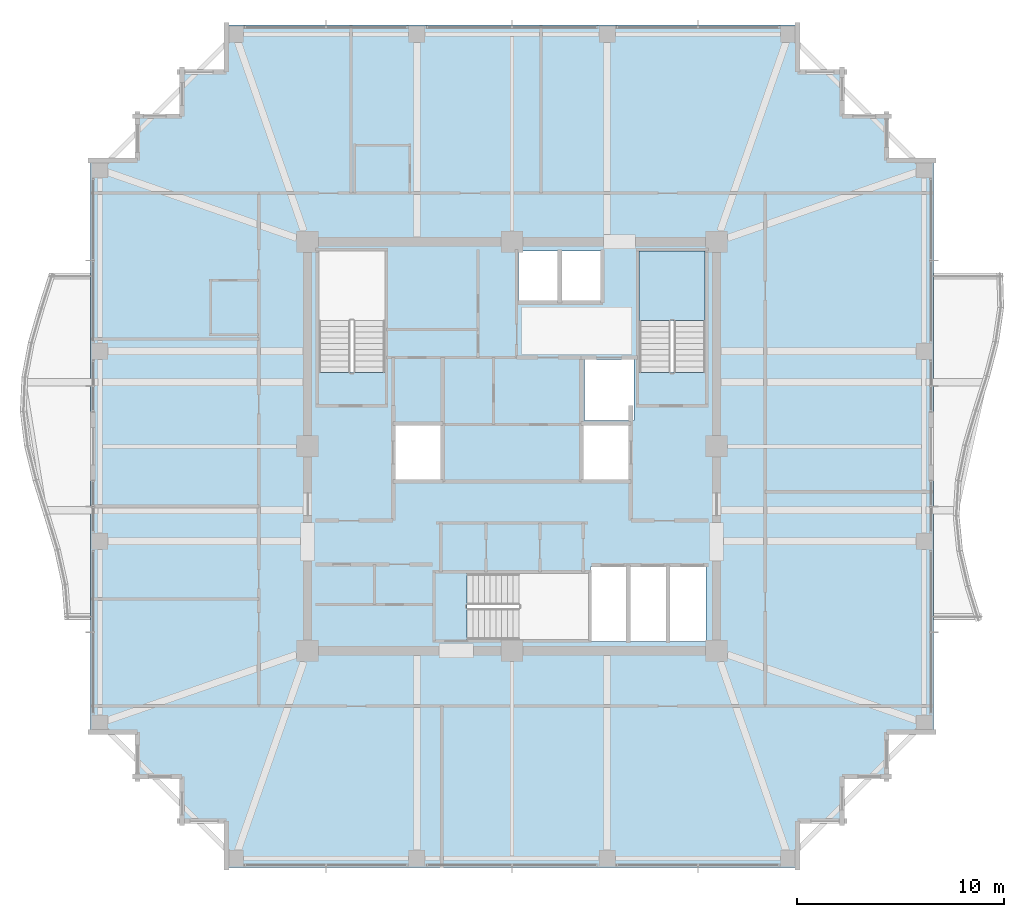
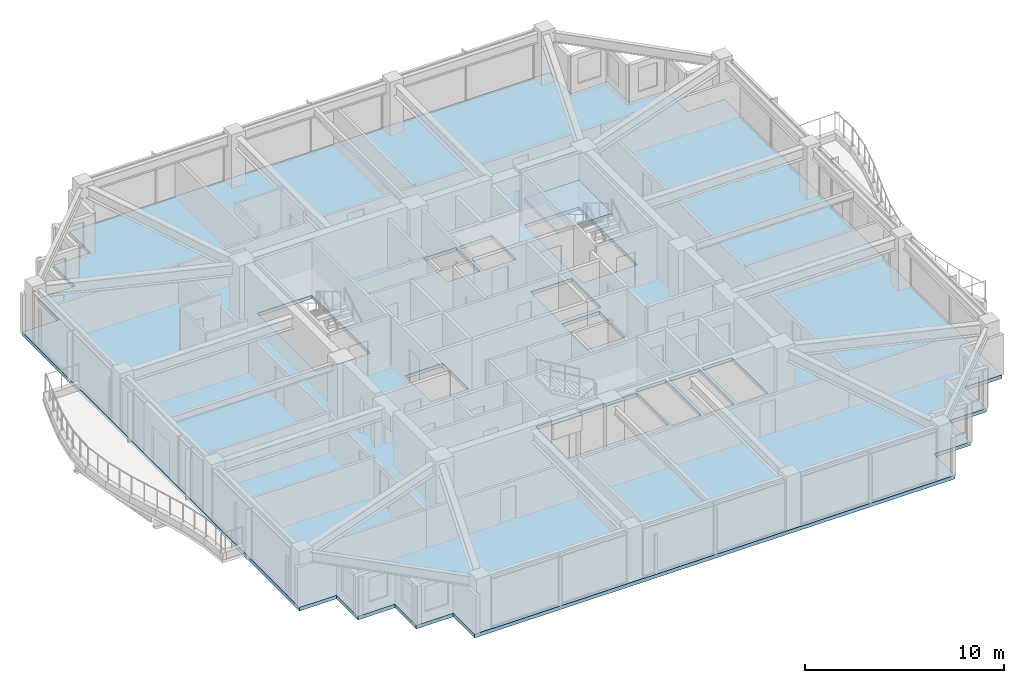
# One storey, part 24 of 34: 2 slabs, 1 element without a shape of its own.
"""IFC4 building model written with IfcOpenShell, lengths in metres."""

from ifc_helpers import new_model, si_unit, direction, frame, origin, place, context, subcontext, project, spatial, polyline, outline, extrude, material, layer, layer_set, type_object, element, aggregate, save


model = new_model("IFC4")

# Units and contexts
model_context = context("Model", 3, precision=1e-05, world=origin(), true_north=direction((0.0, 1.0)))
body_context = subcontext(model_context, "Body", "Model", "MODEL_VIEW")
ifc_project = project(units=[si_unit("LENGTHUNIT", "METRE"), si_unit("AREAUNIT", "SQUARE_METRE"), si_unit("VOLUMEUNIT", "CUBIC_METRE"), si_unit("PLANEANGLEUNIT", "RADIAN"), si_unit("MASSUNIT", "GRAM", prefix="KILO")], contexts=[model_context])

# Site, building, storey
site_placement = place(None, origin())
site = spatial("IfcSite", under=ifc_project, at=site_placement, CompositionType="ELEMENT")
building_placement = place(site_placement, origin())
building = spatial("IfcBuilding", under=site, at=building_placement, Name="Kolvaren Belvedere", CompositionType="ELEMENT")
storey_placement = place(building_placement, frame((0.0, 0.0, 222.89990234375)))
storey = spatial("IfcBuildingStorey", under=building, at=storey_placement, Name="L65", CompositionType="ELEMENT", Elevation=222.89990234375)

# Slab
ifc_material_1 = material(Name="Concrete C50/60", Category="concrete")
ifc_layer_1 = layer(ifc_material_1, 0.219970703125)
ifc_layer_set_1 = layer_set([ifc_layer_1], Name="Concrete C50/60")
slab_type_1 = type_object("IfcSlabType", Name="SL-FLR-220", PredefinedType="FLOOR", material=ifc_layer_set_1)
slab_1_placement = place(storey_placement, frame((0.0, 0.0, -0.219970703125)))
element("IfcSlab", 1, at=slab_1_placement, inside=storey, type_object=slab_type_1, Name="L65 Primary Structural Slab", PredefinedType="FLOOR", context=body_context, shape_type="SweptSolid", body=[
    extrude(outline(polyline([(-13.949951171875, -20.39990234375), (13.949951171875, -20.39990234375), (13.949951171875, -18.25), (16.10009765625, -18.25), (16.10009765625, -16.10009765625), (18.25, -16.10009765625), (18.25, -13.949951171875), (20.39990234375, -13.949951171875), (20.39990234375, 13.949951171875), (18.25, 13.949951171875), (18.25, 16.10009765625), (16.10009765625, 16.10009765625), (16.10009765625, 18.25), (13.949951171875, 18.25), (13.949951171875, 20.39990234375), (-13.949951171875, 20.39990234375), (-13.949951171875, 18.25), (-16.10009765625, 18.25), (-16.10009765625, 16.10009765625), (-18.25, 16.10009765625), (-18.25, 13.949951171875), (-20.39990234375, 13.949951171875), (-20.39990234375, -13.949951171875), (-18.25, -13.949951171875), (-18.25, -16.10009765625), (-16.10009765625, -16.10009765625), (-16.10009765625, -18.25), (-13.949951171875, -18.25), (-13.949951171875, -20.39990234375)]), holes=[polyline([(-9.35009765625, 3.580078125), (-6.159912109375, 3.580078125), (-6.159912109375, 9.449951171875), (-9.35009765625, 9.449951171875), (-9.35009765625, 3.580078125)]), polyline([(6.159912109375, 3.580078125), (9.35009765625, 3.580078125), (9.35009765625, 9.449951171875), (6.159912109375, 9.449951171875), (6.159912109375, 3.580078125)]), polyline([(-2.169921875, -9.35009765625), (3.699951171875, -9.35009765625), (3.699951171875, -6.159912109375), (-2.169921875, -6.159912109375), (-2.169921875, -9.35009765625)]), polyline([(-5.64990234375, -1.60009765625), (-3.449951171875, -1.60009765625), (-3.449951171875, 1.0), (-5.64990234375, 1.0), (-5.64990234375, -1.60009765625)]), polyline([(3.5, 1.25), (5.89990234375, 1.25), (5.89990234375, 4.199951171875), (3.5, 4.199951171875), (3.5, 1.25)]), polyline([(3.449951171875, -1.60009765625), (5.64990234375, -1.60009765625), (5.64990234375, 1.0), (3.449951171875, 1.0), (3.449951171875, -1.60009765625)]), polyline([(3.7900390625, -9.449951171875), (5.5400390625, -9.449951171875), (5.5400390625, -5.85009765625), (3.7900390625, -5.85009765625), (3.7900390625, -9.449951171875)]), polyline([(5.719970703125, -9.449951171875), (7.469970703125, -9.449951171875), (7.469970703125, -5.85009765625), (5.719970703125, -5.85009765625), (5.719970703125, -9.449951171875)]), polyline([(7.64990234375, -9.449951171875), (9.39990234375, -9.449951171875), (9.39990234375, -5.85009765625), (7.64990234375, -5.85009765625), (7.64990234375, -9.449951171875)]), polyline([(0.320068359375, 7.050048828125), (2.219970703125, 7.050048828125), (2.219970703125, 9.449951171875), (0.320068359375, 9.449951171875), (0.320068359375, 7.050048828125)]), polyline([(2.39990234375, 7.050048828125), (4.300048828125, 7.050048828125), (4.300048828125, 9.449951171875), (2.39990234375, 9.449951171875), (2.39990234375, 7.050048828125)])]), origin(), (0.0, 0.0, 1.0), 0.219970703125),
])

# Stair, slab
ifc_material_2 = material(Name="Concrete C50/60", Category="concrete")
stair_type = type_object("IfcStairType", Name="ST-CORE-1520", PredefinedType="HALF_TURN_STAIR", material=ifc_material_2)
stair_placement = place(storey_placement, origin())
stair = element("IfcStair", 2, at=stair_placement, inside=storey, type_object=stair_type, Name="L65 Protected Exit Stair ST-2", PredefinedType="HALF_TURN_STAIR")
ifc_material_3 = material(Name="Concrete C50/60", Category="concrete")
ifc_layer_2 = layer(ifc_material_3, 0.260009765625)
ifc_layer_set_2 = layer_set([ifc_layer_2], Name="Concrete C50/60")
slab_type_2 = type_object("IfcSlabType", Name="SL-LAND-260", PredefinedType="LANDING", material=ifc_layer_set_2)
slab_2_placement = place(storey_placement, frame((0.0, 0.0, 1.4501953125)))
slab_2 = element("IfcSlab", 3, at=slab_2_placement, type_object=slab_type_2, Name="ST-2 landing 1", PredefinedType="LANDING", context=body_context, shape_type="SweptSolid", body=[
    extrude(outline(polyline([(9.35009765625, 6.090087890625), (9.35009765625, 9.449951171875), (6.159912109375, 9.449951171875), (6.159912109375, 6.090087890625), (9.35009765625, 6.090087890625)])), origin(), (0.0, 0.0, 1.0), 0.199951171875),
])
aggregate(stair, [slab_2])

save(model, "model.ifc")
